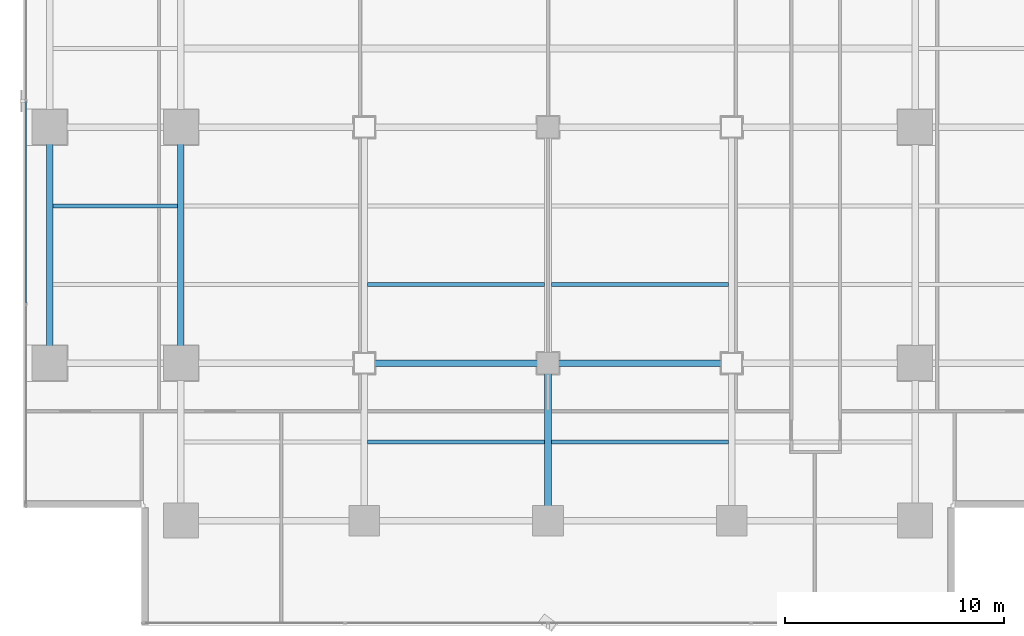
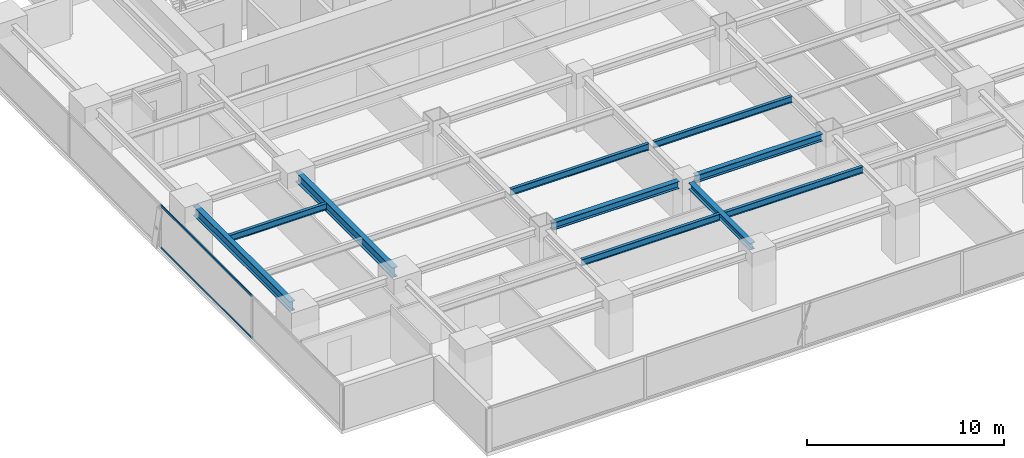
# One storey, part 6 of 28: 10 beams, 2 members, 1 element without a shape of its own.
"""IFC4 building model written with IfcOpenShell, lengths in metres."""

from ifc_helpers import new_model, si_unit, direction, frame, origin, origin_2d, place, context, subcontext, project, spatial, hollow_rectangle, i_section, extrude, source, transform, mapped, material, layer, layer_set, material_profile, profile_set, type_object, element, aggregate, save


model = new_model("IFC4")

# Units and contexts
model_context = context("Model", 3, precision=1e-05, world=origin(), true_north=direction((0.0, 1.0)))
body_context = subcontext(model_context, "Body", "Model", "MODEL_VIEW")
ifc_project = project(units=[si_unit("LENGTHUNIT", "METRE"), si_unit("AREAUNIT", "SQUARE_METRE"), si_unit("VOLUMEUNIT", "CUBIC_METRE"), si_unit("PLANEANGLEUNIT", "RADIAN"), si_unit("MASSUNIT", "GRAM", prefix="KILO")], contexts=[model_context])

# Site, building, storey
site_placement = place(None, origin())
site = spatial("IfcSite", under=ifc_project, at=site_placement, CompositionType="ELEMENT")
building_placement = place(site_placement, origin())
building = spatial("IfcBuilding", under=site, at=building_placement, Name="Sumidabori Civic Tower", CompositionType="ELEMENT")
storey_placement = place(building_placement, frame((0.0, 0.0, 185.60009765625)))
storey = spatial("IfcBuildingStorey", under=building, at=storey_placement, Name="L48", CompositionType="ELEMENT", Elevation=185.60009765625)

# Beams
ifc_material_1 = material(Name="Steel SN490", Category="steel")
ifc_material_profile_1 = material_profile(ifc_material_1, i_section(OverallWidth=0.300048828125, OverallDepth=0.39990234375, WebThickness=0.013427734375, FlangeThickness=0.02392578125, at=origin_2d()), Name="HE 400 B")
ifc_profile_set_1 = profile_set([ifc_material_profile_1], Name="Steel SN490")
beam_type_1 = type_object("IfcBeamType", Name="BM-GIRD-400", PredefinedType="BEAM", material=ifc_profile_set_1)
shared_shape_1 = source(origin(), body_context, "Body", "SweptSolid", [
    extrude(i_section(OverallWidth=0.300048828125, OverallDepth=0.39990234375, WebThickness=0.013427734375, FlangeThickness=0.02392578125, at=origin_2d()), origin(), (0.0, 0.0, 1.0), 6.239990234375),
])
beam_1_placement = place(storey_placement, frame((0.0, -17.52001953125, 3.099853515625), z_axis=(0.0, 1.0, 0.0), x_axis=(-1.0, 0.0, 0.0)))
element("IfcBeam", 1, at=beam_1_placement, inside=storey, type_object=beam_type_1, Name="Primary Girder L48 GY-28", PredefinedType="BEAM", context=body_context, shape_type="MappedRepresentation", body=[
    mapped(shared_shape_1, transform((0.0, 0.0, 0.0), x_axis=(1.0, 0.0, 0.0), y_axis=(0.0, 1.0, 0.0), z_axis=(0.0, 0.0, 1.0), scale=1.0)),
])
ifc_material_profile_2 = material_profile(ifc_material_1, i_section(OverallWidth=0.300048828125, OverallDepth=0.60009765625, WebThickness=0.015380859375, FlangeThickness=0.030029296875, at=origin_2d()), Name="HE 600 B")
ifc_profile_set_2 = profile_set([ifc_material_profile_2], Name="Steel SN490")
beam_type_2 = type_object("IfcBeamType", Name="BM-GIRD-600", PredefinedType="BEAM", material=ifc_profile_set_2)
shared_shape_2 = source(origin(), body_context, "Body", "SweptSolid", [
    extrude(i_section(OverallWidth=0.300048828125, OverallDepth=0.60009765625, WebThickness=0.015380859375, FlangeThickness=0.030029296875, at=origin_2d()), origin(), (0.0, 0.0, 1.0), 9.840087890625),
])
for number, where, z_axis, x_axis, name in (
    (2, (-22.800048828125, -10.320068359375, 3.0), (0.0, 1.0, 0.0), (-1.0, 0.0, 0.0), "Primary Girder L48 GY-19"),
    (3, (-16.800048828125, -10.320068359375, 3.0), (0.0, 1.0, 0.0), (-1.0, 0.0, 0.0), "Primary Girder L48 GY-23"),
):
    element("IfcBeam", number, at=place(storey_placement, frame(where, z_axis=z_axis, x_axis=x_axis)), inside=storey, type_object=beam_type_2, Name=name, PredefinedType="BEAM", context=body_context, shape_type="MappedRepresentation", body=[
        mapped(shared_shape_2, transform((0.0, 0.0, 0.0), x_axis=(1.0, 0.0, 0.0), y_axis=(0.0, 1.0, 0.0), z_axis=(0.0, 0.0, 1.0), scale=1.0)),
    ])
ifc_material_profile_3 = material_profile(ifc_material_1, i_section(OverallWidth=0.179931640625, OverallDepth=0.39990234375, WebThickness=0.008544921875, FlangeThickness=0.013427734375, at=origin_2d()), Name="IPE 400")
ifc_profile_set_3 = profile_set([ifc_material_profile_3], Name="Steel SN490")
beam_type_3 = type_object("IfcBeamType", Name="BM-JST-400", PredefinedType="JOIST", material=ifc_profile_set_3)
shared_shape_3 = source(origin(), body_context, "Body", "SweptSolid", [
    extrude(i_section(OverallWidth=0.179931640625, OverallDepth=0.39990234375, WebThickness=0.008544921875, FlangeThickness=0.013427734375, at=origin_2d()), origin(), (0.0, 0.0, 1.0), 5.699951171875),
])
beam_2_placement = place(storey_placement, frame((-22.64990234375, -3.60009765625, 3.099853515625), z_axis=(1.0, 0.0, 0.0), x_axis=(0.0, 1.0, 0.0)))
element("IfcBeam", 4, at=beam_2_placement, inside=storey, type_object=beam_type_3, Name="Outer Bay Floor Joist L48 JSTO-41", PredefinedType="JOIST", context=body_context, shape_type="MappedRepresentation", body=[
    mapped(shared_shape_3, transform((0.0, 0.0, 0.0), x_axis=(1.0, 0.0, 0.0), y_axis=(0.0, 1.0, 0.0), z_axis=(0.0, 0.0, 1.0), scale=1.0)),
])
shared_shape_4 = source(origin(), body_context, "Body", "SweptSolid", [
    extrude(i_section(OverallWidth=0.179931640625, OverallDepth=0.39990234375, WebThickness=0.008544921875, FlangeThickness=0.013427734375, at=origin_2d()), origin(), (0.0, 0.0, 1.0), 8.10009765625),
])
for number, where, z_axis, x_axis, name in (
    (5, (-8.25, -14.39990234375, 3.099853515625), (1.0, 0.0, 0.0), (0.0, 1.0, 0.0), "South Bay Floor Joist L48 JSTS-50"),
    (6, (0.14990234375, -14.39990234375, 3.099853515625), (1.0, 0.0, 0.0), (0.0, 1.0, 0.0), "South Bay Floor Joist L48 JSTS-51"),
    (7, (-8.25, -7.199951171875, 3.099853515625), (1.0, 0.0, 0.0), (0.0, 1.0, 0.0), "South Bay Floor Joist L48 JSTS-54"),
    (8, (0.14990234375, -7.199951171875, 3.099853515625), (1.0, 0.0, 0.0), (0.0, 1.0, 0.0), "South Bay Floor Joist L48 JSTS-55"),
):
    element("IfcBeam", number, at=place(storey_placement, frame(where, z_axis=z_axis, x_axis=x_axis)), inside=storey, type_object=beam_type_3, Name=name, PredefinedType="JOIST", context=body_context, shape_type="MappedRepresentation", body=[
        mapped(shared_shape_4, transform((0.0, 0.0, 0.0), x_axis=(1.0, 0.0, 0.0), y_axis=(0.0, 1.0, 0.0), z_axis=(0.0, 0.0, 1.0), scale=1.0)),
    ])
ifc_material_profile_4 = material_profile(ifc_material_1, i_section(OverallWidth=0.300048828125, OverallDepth=0.449951171875, WebThickness=0.013916015625, FlangeThickness=0.02587890625, at=origin_2d()), Name="HE 450 B")
ifc_profile_set_4 = profile_set([ifc_material_profile_4], Name="Steel SN490")
beam_type_4 = type_object("IfcBeamType", Name="BM-GIRD-450", PredefinedType="BEAM", material=ifc_profile_set_4)
shared_shape_5 = source(origin(), body_context, "Body", "SweptSolid", [
    extrude(i_section(OverallWidth=0.300048828125, OverallDepth=0.449951171875, WebThickness=0.013916015625, FlangeThickness=0.02587890625, at=origin_2d()), origin(), (0.0, 0.0, 1.0), 7.43994140625),
])
for number, where, z_axis, x_axis, name in (
    (9, (-7.919921875, -10.800048828125, 3.074951171875), (1.0, 0.0, 0.0), (0.0, 1.0, 0.0), "Primary Girder L48 GX-07"),
    (10, (0.47998046875, -10.800048828125, 3.074951171875), (1.0, 0.0, 0.0), (0.0, 1.0, 0.0), "Primary Girder L48 GX-08"),
):
    element("IfcBeam", number, at=place(storey_placement, frame(where, z_axis=z_axis, x_axis=x_axis)), inside=storey, type_object=beam_type_4, Name=name, PredefinedType="BEAM", context=body_context, shape_type="MappedRepresentation", body=[
        mapped(shared_shape_5, transform((0.0, 0.0, 0.0), x_axis=(1.0, 0.0, 0.0), y_axis=(0.0, 1.0, 0.0), z_axis=(0.0, 0.0, 1.0), scale=1.0)),
    ])

# Curtain wall, members
ifc_material_2 = material(Name="Anodised Bronze Aluminium AW-6063-T6", Category="aluminium")
ifc_layer = layer(ifc_material_2, 0.179931640625, Name="Anodised Bronze Aluminium AW-6063-T6")
ifc_layer_set = layer_set([ifc_layer], Name="Anodised Bronze Aluminium AW-6063-T6")
curtain_wall_type = type_object("IfcCurtainWallType", Name="CW-SYS-3", PredefinedType="NOTDEFINED", material=ifc_layer_set)
curtain_wall_placement = place(storey_placement, origin())
curtain_wall = element("IfcCurtainWall", 11, at=curtain_wall_placement, inside=storey, type_object=curtain_wall_type, Name="Curtain Wall CW:L48:R10", PredefinedType="NOTDEFINED")
ifc_material_profile_5 = material_profile(ifc_material_2, hollow_rectangle(XDim=0.06005859375, YDim=0.1298828125, WallThickness=0.0048828125, at=origin_2d()), Name="ALU TRANSOM 130x60")
ifc_profile_set_5 = profile_set([ifc_material_profile_5], Name="Anodised Bronze Aluminium AW-6063-T6")
member_type = type_object("IfcMemberType", Name="CW-TRN-130", PredefinedType="USERDEFINED", material=ifc_profile_set_5)
shared_shape_6 = source(origin(), body_context, "Body", "SweptSolid", [
    extrude(hollow_rectangle(XDim=0.06005859375, YDim=0.1298828125, WallThickness=0.0048828125, at=origin_2d()), origin(), (0.0, 0.0, 1.0), 9.219970703125),
])
member_1_placement = place(storey_placement, frame((-23.8798828125, 1.16748046875, 0.02978515625), z_axis=(0.0, -1.0, 0.0), x_axis=(1.0, 0.0, 0.0)))
member_1 = element("IfcMember", 12, at=member_1_placement, type_object=member_type, Name="CW-3 transom 3.1", ObjectType="TRANSOM", PredefinedType="USERDEFINED", context=body_context, shape_type="MappedRepresentation", body=[
    mapped(shared_shape_6, transform((0.0, 0.0, 0.0), x_axis=(1.0, 0.0, 0.0), y_axis=(0.0, 1.0, 0.0), z_axis=(0.0, 0.0, 1.0), scale=1.0)),
])
member_2_placement = place(storey_placement, frame((-23.8798828125, 1.16748046875, 2.64990234375), z_axis=(0.0, -1.0, 0.0), x_axis=(1.0, 0.0, 0.0)))
member_2 = element("IfcMember", 13, at=member_2_placement, type_object=member_type, Name="CW-3 transom 3.2", ObjectType="TRANSOM", PredefinedType="USERDEFINED", context=body_context, shape_type="MappedRepresentation", body=[
    mapped(shared_shape_6, transform((0.0, 0.0, 0.0), x_axis=(1.0, 0.0, 0.0), y_axis=(0.0, 1.0, 0.0), z_axis=(0.0, 0.0, 1.0), scale=1.0)),
])
aggregate(curtain_wall, [member_1, member_2])

save(model, "model.ifc")
